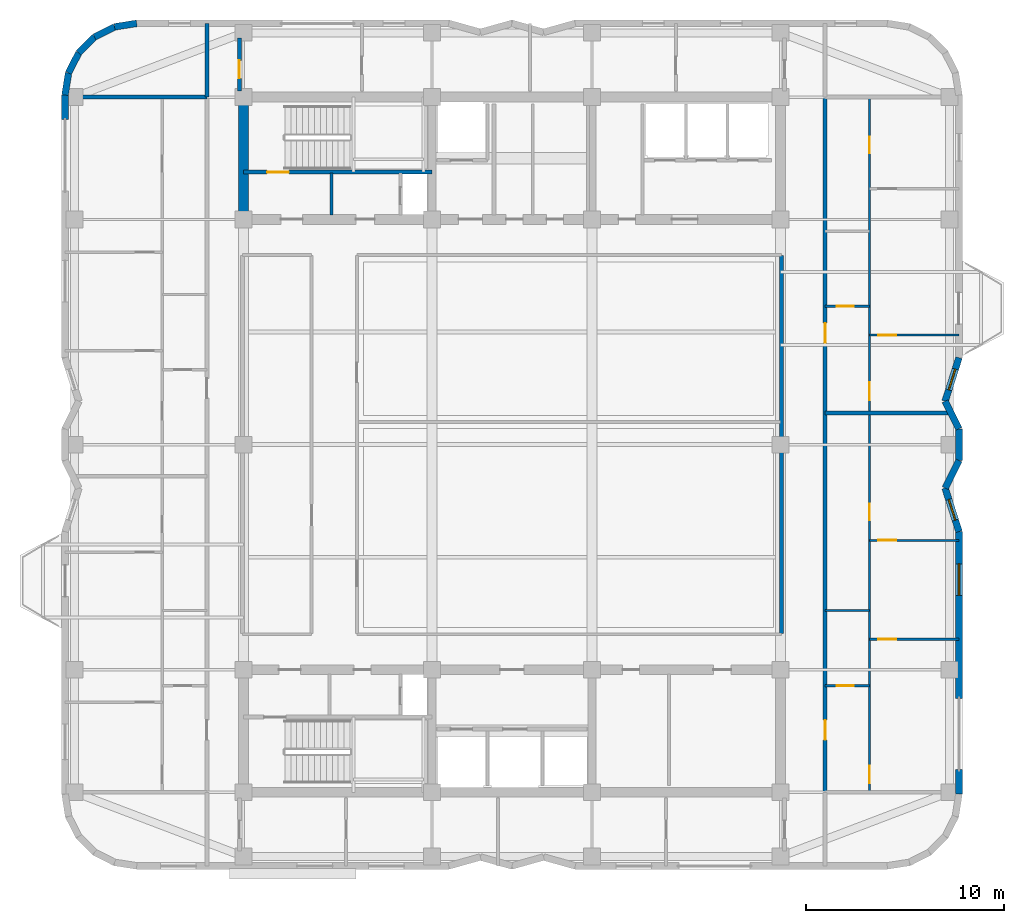
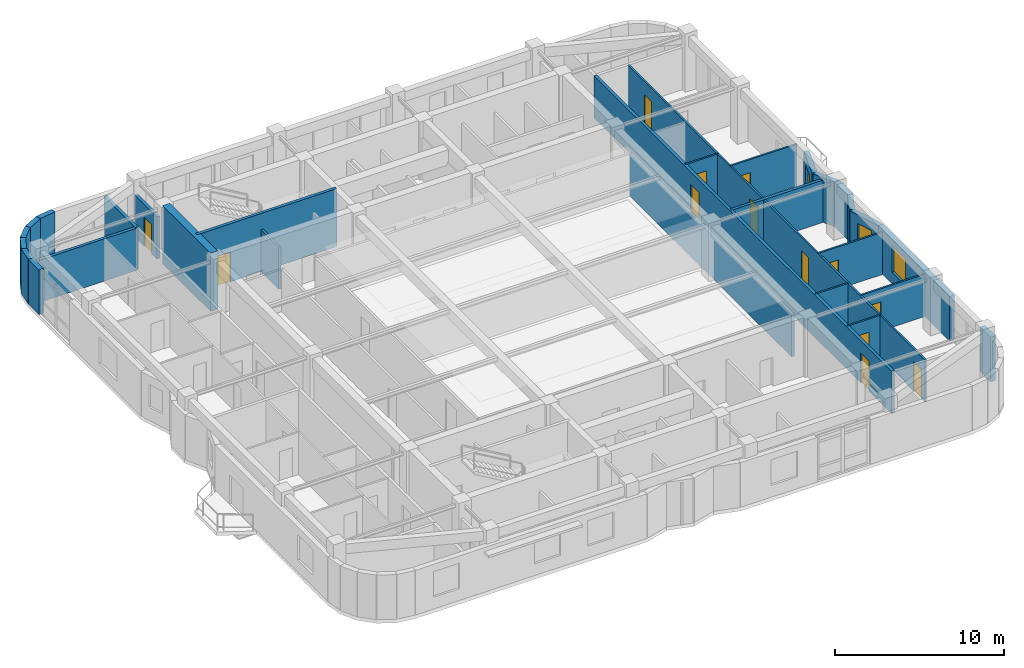
# One storey, part 7 of 11: 30 walls, 13 doors, 3 windows, 16 openings.
"""IFC4 building model written with IfcOpenShell, lengths in metres."""

from ifc_helpers import new_model, si_unit, direction, frame, frame_2d, origin, place, context, subcontext, project, spatial, rectangle, extrude, material, layer, layer_set, type_object, element, fill, save


model = new_model("IFC4")

# Units and contexts
model_context = context("Model", 3, precision=1e-05, world=origin(), true_north=direction((0.0, 1.0)))
body_context = subcontext(model_context, "Body", "Model", "MODEL_VIEW")
ifc_project = project(units=[si_unit("LENGTHUNIT", "METRE"), si_unit("AREAUNIT", "SQUARE_METRE"), si_unit("VOLUMEUNIT", "CUBIC_METRE"), si_unit("PLANEANGLEUNIT", "RADIAN"), si_unit("MASSUNIT", "GRAM", prefix="KILO")], contexts=[model_context])

# Site, building, storey
site_placement = place(None, origin())
site = spatial("IfcSite", under=ifc_project, at=site_placement, CompositionType="ELEMENT")
building_placement = place(site_placement, origin())
building = spatial("IfcBuilding", under=site, at=building_placement, Name="Svetorya Sky Lyceum", CompositionType="ELEMENT")
storey_placement = place(building_placement, frame((0.0, 0.0, 203.10009765625)))
storey = spatial("IfcBuildingStorey", under=building, at=storey_placement, Name="L50", CompositionType="ELEMENT", Elevation=203.10009765625)

# Walls
ifc_material_1 = material(Name="Concrete C50/60", Category="concrete")
ifc_layer_1 = layer(ifc_material_1, 0.5)
ifc_layer_set_1 = layer_set([ifc_layer_1], Name="Concrete C50/60")
wall_type_1 = type_object("IfcWallType", Name="WL-CORE-500", PredefinedType="SHEAR", material=ifc_layer_set_1)
wall_1_placement = place(storey_placement, frame((25.60009765625, 39.85009765625, 0.0), z_axis=(0.0, 0.0, 1.0), x_axis=(0.0, 1.0, 0.0)))
element("IfcWall", 1, at=wall_1_placement, inside=storey, type_object=wall_type_1, Name="L50 NC West Core Shear Wall", PredefinedType="SHEAR", context=body_context, shape_type="SweptSolid", body=[
    extrude(rectangle(XDim=5.699951171875, YDim=0.5, at=frame_2d((2.85009765625, 0.0))), origin(), (0.0, 0.0, 1.0), 4.199951171875),
])
ifc_material_2 = material(Name="Putilovo limestone rainscreen on autoclaved cellular masonry", Category="masonry")
ifc_layer_2 = layer(ifc_material_2, 0.340087890625)
ifc_layer_set_2 = layer_set([ifc_layer_2], Name="Putilovo limestone rainscreen on autoclaved cellular masonry")
wall_type_2 = type_object("IfcWallType", Name="WL-EXT-340", PredefinedType="SOLIDWALL", material=ifc_layer_set_2)
wall_2_placement = place(storey_placement, frame((61.830078125, 10.5, 0.0), z_axis=(0.0, 0.0, 1.0), x_axis=(0.0, 1.0, 0.0)))
element("IfcWall", 2, at=wall_2_placement, inside=storey, type_object=wall_type_2, Name="L50 Limestone Exterior Wall 17A", PredefinedType="SOLIDWALL", context=body_context, shape_type="SweptSolid", body=[
    extrude(rectangle(XDim=1.25, YDim=0.340087890625, at=frame_2d((0.625, 0.0))), origin(), (0.0, 0.0, 1.0), 3.219970703125),
])

# Wall, opening, window
wall_3_placement = place(storey_placement, frame((61.830078125, 15.35009765625, 0.0), z_axis=(0.0, 0.0, 1.0), x_axis=(0.0, 1.0, 0.0)))
wall_3 = element("IfcWall", 3, at=wall_3_placement, inside=storey, type_object=wall_type_2, Name="L50 Limestone Exterior Wall 17B", PredefinedType="SOLIDWALL", context=body_context, shape_type="SweptSolid", body=[
    extrude(rectangle(XDim=8.449951171875, YDim=0.340087890625, at=frame_2d((4.22509765625, 0.0))), origin(), (0.0, 0.0, 1.0), 3.219970703125),
])
opening_1_placement = place(wall_3_placement, frame((5.21240234375, 0.0, 0.85009765625)))
opening_1 = element("IfcOpeningElement", 4, at=opening_1_placement, cuts=wall_3, Name="Opening W-R4", PredefinedType="OPENING", context=body_context, shape_type="SweptSolid", body=[
    extrude(rectangle(XDim=1.60009765625, YDim=1.89990234375, at=frame_2d((0.800048828125, 0.949951171875))), frame((0.0, 0.179931640625, 0.0), z_axis=(0.0, -1.0, 0.0), x_axis=(1.0, 0.0, 0.0)), (0.0, 0.0, 1.0), 0.360107421875),
])
ifc_material_3 = material(Name="Thermally broken aluminium frame with triple low-E glazing", Category="aluminium")
window_type_1 = type_object("IfcWindowType", Name="WN-RES-160", PartitioningType="DOUBLE_PANEL_VERTICAL", PredefinedType="WINDOW", material=ifc_material_3)
window_1_placement = place(opening_1_placement, origin())
window_1 = element("IfcWindow", 5, at=window_1_placement, inside=storey, type_object=window_type_1, Name="L50 Facade Window W-R4.17B.1", OverallHeight=1.89990234375, OverallWidth=1.60009765625, PartitioningType="SINGLE_PANEL", PredefinedType="WINDOW", context=body_context, shape_type="SweptSolid", body=[
    extrude(rectangle(XDim=1.60009765625, YDim=1.89990234375, at=frame_2d((0.800048828125, 0.949951171875))), frame((0.0, 0.030029296875, 0.0), z_axis=(0.0, -1.0, 0.0), x_axis=(1.0, 0.0, 0.0)), (0.0, 0.0, 1.0), 0.06005859375),
])
fill(opening_1, window_1)

wall_4_placement = place(storey_placement, frame((61.830078125, 23.800048828125, 0.0), z_axis=(0.0, 0.0, 1.0), x_axis=(-0.303286588318, 0.95289938889, 0.0)))
wall_4 = element("IfcWall", 6, at=wall_4_placement, inside=storey, type_object=wall_type_2, Name="L50 Limestone Exterior Wall 18M", PredefinedType="SOLIDWALL", context=body_context, shape_type="SweptSolid", body=[
    extrude(rectangle(XDim=2.30859375, YDim=0.340087890625, at=frame_2d((1.154296875, 0.0))), origin(), (0.0, 0.0, 1.0), 3.219970703125),
])
opening_2_placement = place(wall_4_placement, frame((0.604248046875, 0.0, 0.949951171875)))
opening_2 = element("IfcOpeningElement", 7, at=opening_2_placement, cuts=wall_4, Name="Opening W-R3", PredefinedType="OPENING", context=body_context, shape_type="SweptSolid", body=[
    extrude(rectangle(XDim=1.10009765625, YDim=1.64990234375, at=frame_2d((0.550048828125, 0.824951171875))), frame((0.0, 0.179931640625, 0.0), z_axis=(0.0, -1.0, 0.0), x_axis=(1.0, 0.0, 0.0)), (0.0, 0.0, 1.0), 0.360107421875),
])
window_type_2 = type_object("IfcWindowType", Name="WN-RES-110", PartitioningType="SINGLE_PANEL", PredefinedType="WINDOW", material=ifc_material_3)
window_2_placement = place(opening_2_placement, origin())
window_2 = element("IfcWindow", 8, at=window_2_placement, inside=storey, type_object=window_type_2, Name="L50 Facade Window W-R3.18M.1", OverallHeight=1.64990234375, OverallWidth=1.10009765625, PartitioningType="SINGLE_PANEL", PredefinedType="WINDOW", context=body_context, shape_type="SweptSolid", body=[
    extrude(rectangle(XDim=1.10009765625, YDim=1.64990234375, at=frame_2d((0.550048828125, 0.824951171875))), frame((0.0, 0.030029296875, 0.0), z_axis=(0.0, -1.0, 0.0), x_axis=(1.0, 0.0, 0.0)), (0.0, 0.0, 1.0), 0.06005859375),
])
fill(opening_2, window_2)

# Walls
wall_5_placement = place(storey_placement, frame((61.1298828125, 26.0, 0.0), z_axis=(0.0, 0.0, 1.0), x_axis=(0.447338371726, 0.894364792007, 0.0)))
element("IfcWall", 9, at=wall_5_placement, inside=storey, type_object=wall_type_2, Name="L50 Limestone Exterior Wall 19M", PredefinedType="SOLIDWALL", context=body_context, shape_type="SweptSolid", body=[
    extrude(rectangle(XDim=1.565185546875, YDim=0.340087890625, at=frame_2d((0.78271484375, 0.0))), origin(), (0.0, 0.0, 1.0), 3.219970703125),
])
wall_6_placement = place(storey_placement, frame((61.830078125, 27.39990234375, 0.0), z_axis=(0.0, 0.0, 1.0), x_axis=(0.0, 1.0, 0.0)))
element("IfcWall", 10, at=wall_6_placement, inside=storey, type_object=wall_type_2, Name="L50 Limestone Exterior Wall 20M", PredefinedType="SOLIDWALL", context=body_context, shape_type="SweptSolid", body=[
    extrude(rectangle(XDim=1.60009765625, YDim=0.340087890625, at=frame_2d((0.800048828125, 0.0))), origin(), (0.0, 0.0, 1.0), 3.219970703125),
])
wall_7_placement = place(storey_placement, frame((61.830078125, 29.0, 0.0), z_axis=(0.0, 0.0, 1.0), x_axis=(-0.447338371726, 0.894364792007, 0.0)))
element("IfcWall", 11, at=wall_7_placement, inside=storey, type_object=wall_type_2, Name="L50 Limestone Exterior Wall 21M", PredefinedType="SOLIDWALL", context=body_context, shape_type="SweptSolid", body=[
    extrude(rectangle(XDim=1.565185546875, YDim=0.340087890625, at=frame_2d((0.78271484375, 0.0))), origin(), (0.0, 0.0, 1.0), 3.219970703125),
])

# Wall, opening, window
wall_8_placement = place(storey_placement, frame((61.1298828125, 30.39990234375, 0.0), z_axis=(0.0, 0.0, 1.0), x_axis=(0.303256029766, 0.952909114454, 0.0)))
wall_8 = element("IfcWall", 12, at=wall_8_placement, inside=storey, type_object=wall_type_2, Name="L50 Limestone Exterior Wall 22M", PredefinedType="SOLIDWALL", context=body_context, shape_type="SweptSolid", body=[
    extrude(rectangle(XDim=2.308837890625, YDim=0.340087890625, at=frame_2d((1.154296875, 0.0))), origin(), (0.0, 0.0, 1.0), 3.219970703125),
])
opening_3_placement = place(wall_8_placement, frame((0.604248046875, 0.0, 0.949951171875)))
opening_3 = element("IfcOpeningElement", 13, at=opening_3_placement, cuts=wall_8, Name="Opening W-R3", PredefinedType="OPENING", context=body_context, shape_type="SweptSolid", body=[
    extrude(rectangle(XDim=1.10009765625, YDim=1.64990234375, at=frame_2d((0.550048828125, 0.824951171875))), frame((0.0, 0.179931640625, 0.0), z_axis=(0.0, -1.0, 0.0), x_axis=(1.0, 0.0, 0.0)), (0.0, 0.0, 1.0), 0.360107421875),
])
window_3_placement = place(opening_3_placement, origin())
window_3 = element("IfcWindow", 14, at=window_3_placement, inside=storey, type_object=window_type_2, Name="L50 Facade Window W-R3.22M.1", OverallHeight=1.64990234375, OverallWidth=1.10009765625, PartitioningType="SINGLE_PANEL", PredefinedType="WINDOW", context=body_context, shape_type="SweptSolid", body=[
    extrude(rectangle(XDim=1.10009765625, YDim=1.64990234375, at=frame_2d((0.550048828125, 0.824951171875))), frame((0.0, 0.030029296875, 0.0), z_axis=(0.0, -1.0, 0.0), x_axis=(1.0, 0.0, 0.0)), (0.0, 0.0, 1.0), 0.06005859375),
])
fill(opening_3, window_3)

# Walls
wall_9_placement = place(storey_placement, frame((20.199951171875, 49.530029296875, 0.0), z_axis=(0.0, 0.0, 1.0), x_axis=(-0.987675651954, -0.156514556949, 0.0)))
element("IfcWall", 15, at=wall_9_placement, inside=storey, type_object=wall_type_2, Name="L50 Limestone Exterior Wall 35M", PredefinedType="SOLIDWALL", context=body_context, shape_type="SweptSolid", body=[
    extrude(rectangle(XDim=1.135498046875, YDim=0.340087890625, at=frame_2d((0.56787109375, 0.0))), origin(), (0.0, 0.0, 1.0), 3.219970703125),
])
for number, where, z_axis, x_axis, name in (
    (16, (19.078369140625, 49.352294921875, 0.0), (0.0, 0.0, 1.0), (-0.891005044957, -0.453993402883, 0.0), "L50 Limestone Exterior Wall 36M"),
    (17, (18.06640625, 48.836669921875, 0.0), (0.0, 0.0, 1.0), (-0.707214252388, -0.706999293649, 0.0), "L50 Limestone Exterior Wall 37M"),
    (18, (17.26318359375, 48.03369140625, 0.0), (0.0, 0.0, 1.0), (-0.453822724105, -0.891091990249, 0.0), "L50 Limestone Exterior Wall 38M"),
    (19, (16.747802734375, 47.021728515625, 0.0), (0.0, 0.0, 1.0), (-0.156481329164, -0.987680916907, 0.0), "L50 Limestone Exterior Wall 39M"),
):
    element("IfcWall", number, at=place(storey_placement, frame(where, z_axis=z_axis, x_axis=x_axis)), inside=storey, type_object=wall_type_2, Name=name, PredefinedType="SOLIDWALL", context=body_context, shape_type="SweptSolid", body=[
        extrude(rectangle(XDim=1.1357421875, YDim=0.340087890625, at=frame_2d((0.56787109375, 0.0))), origin(), (0.0, 0.0, 1.0), 3.219970703125),
    ])
wall_10_placement = place(storey_placement, frame((16.570068359375, 45.89990234375, 0.0), z_axis=(0.0, 0.0, 1.0), x_axis=(0.0, -1.0, 0.0)))
element("IfcWall", 20, at=wall_10_placement, inside=storey, type_object=wall_type_2, Name="L50 Limestone Exterior Wall 40A", PredefinedType="SOLIDWALL", context=body_context, shape_type="SweptSolid", body=[
    extrude(rectangle(XDim=1.25, YDim=0.340087890625, at=frame_2d((0.625, 0.0))), origin(), (0.0, 0.0, 1.0), 3.219970703125),
])

# Wall, opening, door
ifc_material_4 = material(Name="Twin-stud galvanized framing with double fireboard", Category="gypsum")
ifc_layer_3 = layer(ifc_material_4, 0.1201171875)
ifc_layer_set_3 = layer_set([ifc_layer_3], Name="Twin-stud galvanized framing with double fireboard")
wall_type_3 = type_object("IfcWallType", Name="WL-PART-120", PredefinedType="PARTITIONING", material=ifc_layer_set_3)
wall_11_placement = place(storey_placement, frame((55.050048828125, 16.0, 0.0), z_axis=(0.0, 0.0, 1.0), x_axis=(1.0, 0.0, 0.0)))
wall_11 = element("IfcWall", 21, at=wall_11_placement, inside=storey, type_object=wall_type_3, Name="L50 Interior Partition E1-WH1", PredefinedType="PARTITIONING", context=body_context, shape_type="SweptSolid", body=[
    extrude(rectangle(XDim=2.25, YDim=0.1201171875, at=frame_2d((1.125, 0.0))), origin(), (0.0, 0.0, 1.0), 3.0498046875),
])
opening_4_placement = place(wall_11_placement, frame((0.60009765625, 0.0, 0.0)))
opening_4 = element("IfcOpeningElement", 22, at=opening_4_placement, cuts=wall_11, Name="Opening D-BT1", PredefinedType="OPENING", context=body_context, shape_type="SweptSolid", body=[
    extrude(rectangle(XDim=0.85009765625, YDim=2.10009765625, at=frame_2d((0.425048828125, 1.050048828125))), frame((0.0, 0.070068359375, 0.0), z_axis=(0.0, -1.0, 0.0), x_axis=(1.0, 0.0, 0.0)), (0.0, 0.0, 1.0), 0.14013671875),
])
ifc_material_5 = material(Name="Moisture-resistant laminate bathroom door")
door_type_1 = type_object("IfcDoorType", Name="DR-WET-850", OperationType="SINGLE_SWING_LEFT", PredefinedType="DOOR", material=ifc_material_5)
door_1_placement = place(opening_4_placement, origin())
door_1 = element("IfcDoor", 23, at=door_1_placement, inside=storey, type_object=door_type_1, Name="Apartment E1 Bathroom Door", OperationType="SINGLE_SWING_RIGHT", OverallHeight=2.10009765625, OverallWidth=0.85009765625, PredefinedType="DOOR", context=body_context, shape_type="SweptSolid", body=[
    extrude(rectangle(XDim=0.85009765625, YDim=2.10009765625, at=frame_2d((0.425048828125, 1.050048828125))), frame((0.0, 0.02490234375, 0.0), z_axis=(0.0, -1.0, 0.0), x_axis=(1.0, 0.0, 0.0)), (0.0, 0.0, 1.0), 0.050048828125),
])
fill(opening_4, door_1)

# Wall
wall_12_placement = place(storey_placement, frame((55.050048828125, 19.800048828125, 0.0), z_axis=(0.0, 0.0, 1.0), x_axis=(1.0, 0.0, 0.0)))
element("IfcWall", 24, at=wall_12_placement, inside=storey, type_object=wall_type_3, Name="L50 Interior Partition E1-WH2", PredefinedType="PARTITIONING", context=body_context, shape_type="SweptSolid", body=[
    extrude(rectangle(XDim=2.25, YDim=0.1201171875, at=frame_2d((1.125, 0.0))), origin(), (0.0, 0.0, 1.0), 3.0498046875),
])

# Wall, opening, door
wall_13_placement = place(storey_placement, frame((57.300048828125, 18.35009765625, 0.0), z_axis=(0.0, 0.0, 1.0), x_axis=(1.0, 0.0, 0.0)))
wall_13 = element("IfcWall", 25, at=wall_13_placement, inside=storey, type_object=wall_type_3, Name="L50 Interior Partition E1-WL1", PredefinedType="PARTITIONING", context=body_context, shape_type="SweptSolid", body=[
    extrude(rectangle(XDim=4.530029296875, YDim=0.1201171875, at=frame_2d((2.26513671875, 0.0))), origin(), (0.0, 0.0, 1.0), 3.0498046875),
])
opening_5_placement = place(wall_13_placement, frame((0.449951171875, 0.0, 0.0)))
opening_5 = element("IfcOpeningElement", 26, at=opening_5_placement, cuts=wall_13, Name="Opening D-RM1", PredefinedType="OPENING", context=body_context, shape_type="SweptSolid", body=[
    extrude(rectangle(XDim=0.89990234375, YDim=2.10009765625, at=frame_2d((0.449951171875, 1.050048828125))), frame((0.0, 0.070068359375, 0.0), z_axis=(0.0, -1.0, 0.0), x_axis=(1.0, 0.0, 0.0)), (0.0, 0.0, 1.0), 0.14013671875),
])
ifc_material_6 = material(Name="Lacquered birch veneer internal door")
door_type_2 = type_object("IfcDoorType", Name="DR-INT-900", OperationType="SINGLE_SWING_LEFT", PredefinedType="DOOR", material=ifc_material_6)
door_2_placement = place(opening_5_placement, origin())
door_2 = element("IfcDoor", 27, at=door_2_placement, inside=storey, type_object=door_type_2, Name="Apartment E1 Master Bedroom Door", OperationType="SINGLE_SWING_RIGHT", OverallHeight=2.10009765625, OverallWidth=0.89990234375, PredefinedType="DOOR", context=body_context, shape_type="SweptSolid", body=[
    extrude(rectangle(XDim=0.89990234375, YDim=2.10009765625, at=frame_2d((0.449951171875, 1.050048828125))), frame((0.0, 0.02490234375, 0.0), z_axis=(0.0, -1.0, 0.0), x_axis=(1.0, 0.0, 0.0)), (0.0, 0.0, 1.0), 0.050048828125),
])
fill(opening_5, door_2)

wall_14_placement = place(storey_placement, frame((57.300048828125, 23.35009765625, 0.0), z_axis=(0.0, 0.0, 1.0), x_axis=(1.0, 0.0, 0.0)))
wall_14 = element("IfcWall", 28, at=wall_14_placement, inside=storey, type_object=wall_type_3, Name="L50 Interior Partition E1-WL2", PredefinedType="PARTITIONING", context=body_context, shape_type="SweptSolid", body=[
    extrude(rectangle(XDim=4.530029296875, YDim=0.1201171875, at=frame_2d((2.26513671875, 0.0))), origin(), (0.0, 0.0, 1.0), 3.0498046875),
])
opening_6_placement = place(wall_14_placement, frame((0.449951171875, 0.0, 0.0)))
opening_6 = element("IfcOpeningElement", 29, at=opening_6_placement, cuts=wall_14, Name="Opening D-RM1", PredefinedType="OPENING", context=body_context, shape_type="SweptSolid", body=[
    extrude(rectangle(XDim=0.89990234375, YDim=2.10009765625, at=frame_2d((0.449951171875, 1.050048828125))), frame((0.0, 0.070068359375, 0.0), z_axis=(0.0, -1.0, 0.0), x_axis=(1.0, 0.0, 0.0)), (0.0, 0.0, 1.0), 0.14013671875),
])
door_3_placement = place(opening_6_placement, origin())
door_3 = element("IfcDoor", 30, at=door_3_placement, inside=storey, type_object=door_type_2, Name="Apartment E1 Bedroom 2 Door", OperationType="SINGLE_SWING_LEFT", OverallHeight=2.10009765625, OverallWidth=0.89990234375, PredefinedType="DOOR", context=body_context, shape_type="SweptSolid", body=[
    extrude(rectangle(XDim=0.89990234375, YDim=2.10009765625, at=frame_2d((0.449951171875, 1.050048828125))), frame((0.0, 0.02490234375, 0.0), z_axis=(0.0, -1.0, 0.0), x_axis=(1.0, 0.0, 0.0)), (0.0, 0.0, 1.0), 0.050048828125),
])
fill(opening_6, door_3)

# Wall, openings, doors
wall_15_placement = place(storey_placement, frame((57.300048828125, 10.639892578125, 0.0), z_axis=(0.0, 0.0, 1.0), x_axis=(0.0, 1.0, 0.0)))
wall_15 = element("IfcWall", 31, at=wall_15_placement, inside=storey, type_object=wall_type_3, Name="L50 Interior Partition E1-WV", PredefinedType="PARTITIONING", context=body_context, shape_type="SweptSolid", body=[
    extrude(rectangle(XDim=19.1201171875, YDim=0.1201171875, at=frame_2d((9.56005859375, 0.0))), origin(), (0.0, 0.0, 1.0), 3.0498046875),
])
opening_7_placement = place(wall_15_placement, frame((0.409912109375, 0.0, 0.0)))
opening_7 = element("IfcOpeningElement", 32, at=opening_7_placement, cuts=wall_15, Name="Opening D-RM1", PredefinedType="OPENING", context=body_context, shape_type="SweptSolid", body=[
    extrude(rectangle(XDim=0.89990234375, YDim=2.10009765625, at=frame_2d((0.449951171875, 1.050048828125))), frame((0.0, 0.070068359375, 0.0), z_axis=(0.0, -1.0, 0.0), x_axis=(1.0, 0.0, 0.0)), (0.0, 0.0, 1.0), 0.14013671875),
])
opening_8_placement = place(wall_15_placement, frame((13.735107421875, 0.0, 0.0)))
opening_8 = element("IfcOpeningElement", 33, at=opening_8_placement, cuts=wall_15, Name="Opening D-BT2", PredefinedType="OPENING", context=body_context, shape_type="SweptSolid", body=[
    extrude(rectangle(XDim=0.820068359375, YDim=2.080078125, at=frame_2d((0.41015625, 1.0400390625))), frame((0.0, 0.070068359375, 0.0), z_axis=(0.0, -1.0, 0.0), x_axis=(1.0, 0.0, 0.0)), (0.0, 0.0, 1.0), 0.14013671875),
])
door_4_placement = place(opening_7_placement, origin())
door_4 = element("IfcDoor", 34, at=door_4_placement, inside=storey, type_object=door_type_2, Name="Apartment E1 Living Door", OperationType="SINGLE_SWING_LEFT", OverallHeight=2.10009765625, OverallWidth=0.89990234375, PredefinedType="DOOR", context=body_context, shape_type="SweptSolid", body=[
    extrude(rectangle(XDim=0.89990234375, YDim=2.10009765625, at=frame_2d((0.449951171875, 1.050048828125))), frame((0.0, 0.02490234375, 0.0), z_axis=(0.0, -1.0, 0.0), x_axis=(1.0, 0.0, 0.0)), (0.0, 0.0, 1.0), 0.050048828125),
])
fill(opening_7, door_4)
ifc_material_7 = material(Name="Compact moisture-resistant laminate closet door")
door_type_3 = type_object("IfcDoorType", Name="DR-WET-820", OperationType="SINGLE_SWING_LEFT", PredefinedType="DOOR", material=ifc_material_7)
door_5_placement = place(opening_8_placement, origin())
door_5 = element("IfcDoor", 35, at=door_5_placement, inside=storey, type_object=door_type_3, Name="Apartment E1 Study Door", OperationType="SINGLE_SWING_RIGHT", OverallHeight=2.080078125, OverallWidth=0.820068359375, PredefinedType="DOOR", context=body_context, shape_type="SweptSolid", body=[
    extrude(rectangle(XDim=0.820068359375, YDim=2.080078125, at=frame_2d((0.41015625, 1.0400390625))), frame((0.0, 0.02490234375, 0.0), z_axis=(0.0, -1.0, 0.0), x_axis=(1.0, 0.0, 0.0)), (0.0, 0.0, 1.0), 0.050048828125),
])
fill(opening_8, door_5)

# Wall, opening, door
wall_16_placement = place(storey_placement, frame((55.050048828125, 35.199951171875, 0.0), z_axis=(0.0, 0.0, 1.0), x_axis=(1.0, 0.0, 0.0)))
wall_16 = element("IfcWall", 36, at=wall_16_placement, inside=storey, type_object=wall_type_3, Name="L50 Interior Partition E2-WH1", PredefinedType="PARTITIONING", context=body_context, shape_type="SweptSolid", body=[
    extrude(rectangle(XDim=2.25, YDim=0.1201171875, at=frame_2d((1.125, 0.0))), origin(), (0.0, 0.0, 1.0), 3.0498046875),
])
opening_9_placement = place(wall_16_placement, frame((0.60009765625, 0.0, 0.0)))
opening_9 = element("IfcOpeningElement", 37, at=opening_9_placement, cuts=wall_16, Name="Opening D-BT1", PredefinedType="OPENING", context=body_context, shape_type="SweptSolid", body=[
    extrude(rectangle(XDim=0.85009765625, YDim=2.10009765625, at=frame_2d((0.425048828125, 1.050048828125))), frame((0.0, 0.070068359375, 0.0), z_axis=(0.0, -1.0, 0.0), x_axis=(1.0, 0.0, 0.0)), (0.0, 0.0, 1.0), 0.14013671875),
])
door_6_placement = place(opening_9_placement, origin())
door_6 = element("IfcDoor", 38, at=door_6_placement, inside=storey, type_object=door_type_1, Name="Apartment E2 Bathroom Door", OperationType="SINGLE_SWING_LEFT", OverallHeight=2.10009765625, OverallWidth=0.85009765625, PredefinedType="DOOR", context=body_context, shape_type="SweptSolid", body=[
    extrude(rectangle(XDim=0.85009765625, YDim=2.10009765625, at=frame_2d((0.425048828125, 1.050048828125))), frame((0.0, 0.02490234375, 0.0), z_axis=(0.0, -1.0, 0.0), x_axis=(1.0, 0.0, 0.0)), (0.0, 0.0, 1.0), 0.050048828125),
])
fill(opening_9, door_6)

wall_17_placement = place(storey_placement, frame((57.300048828125, 33.75, 0.0), z_axis=(0.0, 0.0, 1.0), x_axis=(1.0, 0.0, 0.0)))
wall_17 = element("IfcWall", 39, at=wall_17_placement, inside=storey, type_object=wall_type_3, Name="L50 Interior Partition E2-WL1", PredefinedType="PARTITIONING", context=body_context, shape_type="SweptSolid", body=[
    extrude(rectangle(XDim=4.530029296875, YDim=0.1201171875, at=frame_2d((2.26513671875, 0.0))), origin(), (0.0, 0.0, 1.0), 3.0498046875),
])
opening_10_placement = place(wall_17_placement, frame((0.449951171875, 0.0, 0.0)))
opening_10 = element("IfcOpeningElement", 40, at=opening_10_placement, cuts=wall_17, Name="Opening D-RM1", PredefinedType="OPENING", context=body_context, shape_type="SweptSolid", body=[
    extrude(rectangle(XDim=0.89990234375, YDim=2.10009765625, at=frame_2d((0.449951171875, 1.050048828125))), frame((0.0, 0.070068359375, 0.0), z_axis=(0.0, -1.0, 0.0), x_axis=(1.0, 0.0, 0.0)), (0.0, 0.0, 1.0), 0.14013671875),
])
door_7_placement = place(opening_10_placement, origin())
door_7 = element("IfcDoor", 41, at=door_7_placement, inside=storey, type_object=door_type_2, Name="Apartment E2 Master Bedroom Door", OperationType="SINGLE_SWING_LEFT", OverallHeight=2.10009765625, OverallWidth=0.89990234375, PredefinedType="DOOR", context=body_context, shape_type="SweptSolid", body=[
    extrude(rectangle(XDim=0.89990234375, YDim=2.10009765625, at=frame_2d((0.449951171875, 1.050048828125))), frame((0.0, 0.02490234375, 0.0), z_axis=(0.0, -1.0, 0.0), x_axis=(1.0, 0.0, 0.0)), (0.0, 0.0, 1.0), 0.050048828125),
])
fill(opening_10, door_7)

# Wall, openings, doors
wall_18_placement = place(storey_placement, frame((57.300048828125, 29.840087890625, 0.0), z_axis=(0.0, 0.0, 1.0), x_axis=(0.0, 1.0, 0.0)))
wall_18 = element("IfcWall", 42, at=wall_18_placement, inside=storey, type_object=wall_type_3, Name="L50 Interior Partition E2-WV", PredefinedType="PARTITIONING", context=body_context, shape_type="SweptSolid", body=[
    extrude(rectangle(XDim=15.919921875, YDim=0.1201171875, at=frame_2d((7.9599609375, 0.0))), origin(), (0.0, 0.0, 1.0), 3.0498046875),
])
opening_11_placement = place(wall_18_placement, frame((0.610107421875, 0.0, 0.0)))
opening_11 = element("IfcOpeningElement", 43, at=opening_11_placement, cuts=wall_18, Name="Opening D-RM1", PredefinedType="OPENING", context=body_context, shape_type="SweptSolid", body=[
    extrude(rectangle(XDim=0.89990234375, YDim=2.10009765625, at=frame_2d((0.449951171875, 1.050048828125))), frame((0.0, 0.070068359375, 0.0), z_axis=(0.0, -1.0, 0.0), x_axis=(1.0, 0.0, 0.0)), (0.0, 0.0, 1.0), 0.14013671875),
])
opening_12_placement = place(wall_18_placement, frame((13.125, 0.0, 0.0)))
opening_12 = element("IfcOpeningElement", 44, at=opening_12_placement, cuts=wall_18, Name="Opening D-BT2", PredefinedType="OPENING", context=body_context, shape_type="SweptSolid", body=[
    extrude(rectangle(XDim=0.820068359375, YDim=2.080078125, at=frame_2d((0.41015625, 1.0400390625))), frame((0.0, 0.070068359375, 0.0), z_axis=(0.0, -1.0, 0.0), x_axis=(1.0, 0.0, 0.0)), (0.0, 0.0, 1.0), 0.14013671875),
])
door_8_placement = place(opening_11_placement, origin())
door_8 = element("IfcDoor", 45, at=door_8_placement, inside=storey, type_object=door_type_2, Name="Apartment E2 Living Door", OperationType="SINGLE_SWING_RIGHT", OverallHeight=2.10009765625, OverallWidth=0.89990234375, PredefinedType="DOOR", context=body_context, shape_type="SweptSolid", body=[
    extrude(rectangle(XDim=0.89990234375, YDim=2.10009765625, at=frame_2d((0.449951171875, 1.050048828125))), frame((0.0, 0.02490234375, 0.0), z_axis=(0.0, -1.0, 0.0), x_axis=(1.0, 0.0, 0.0)), (0.0, 0.0, 1.0), 0.050048828125),
])
fill(opening_11, door_8)
door_9_placement = place(opening_12_placement, origin())
door_9 = element("IfcDoor", 46, at=door_9_placement, inside=storey, type_object=door_type_3, Name="Apartment E2 Study Door", OperationType="SINGLE_SWING_LEFT", OverallHeight=2.080078125, OverallWidth=0.820068359375, PredefinedType="DOOR", context=body_context, shape_type="SweptSolid", body=[
    extrude(rectangle(XDim=0.820068359375, YDim=2.080078125, at=frame_2d((0.41015625, 1.0400390625))), frame((0.0, 0.02490234375, 0.0), z_axis=(0.0, -1.0, 0.0), x_axis=(1.0, 0.0, 0.0)), (0.0, 0.0, 1.0), 0.050048828125),
])
fill(opening_12, door_9)

# Walls
ifc_material_8 = material(Name="Autoclaved cellular masonry blockwork with acoustic render", Category="masonry")
ifc_layer_4 = layer(ifc_material_8, 0.14990234375)
ifc_layer_set_4 = layer_set([ifc_layer_4], Name="Autoclaved cellular masonry blockwork with acoustic render")
wall_type_4 = type_object("IfcWallType", Name="WL-PART-150", PredefinedType="PARTITIONING", material=ifc_layer_set_4)
wall_19_placement = place(storey_placement, frame((30.050048828125, 39.820068359375, 0.0), z_axis=(0.0, 0.0, 1.0), x_axis=(0.0, 1.0, 0.0)))
element("IfcWall", 47, at=wall_19_placement, inside=storey, type_object=wall_type_4, Name="L50 Interior Partition NC-NWD1", PredefinedType="PARTITIONING", context=body_context, shape_type="SweptSolid", body=[
    extrude(rectangle(XDim=2.1298828125, YDim=0.14990234375, at=frame_2d((1.06494140625, 0.0))), origin(), (0.0, 0.0, 1.0), 3.0498046875),
])
ifc_material_9 = material(Name="Autoclaved cellular masonry blockwork with gypsum plaster", Category="masonry")
ifc_layer_5 = layer(ifc_material_9, 0.199951171875)
ifc_layer_set_5 = layer_set([ifc_layer_5], Name="Autoclaved cellular masonry blockwork with gypsum plaster")
wall_type_5 = type_object("IfcWallType", Name="WL-PART-200", PredefinedType="PARTITIONING", material=ifc_layer_set_5)
wall_20_placement = place(storey_placement, frame((52.85009765625, 18.6298828125, 0.0), z_axis=(0.0, 0.0, 1.0), x_axis=(0.0, 1.0, 0.0)))
element("IfcWall", 48, at=wall_20_placement, inside=storey, type_object=wall_type_5, Name="L50 Interior Partition E-CEN-SEP", PredefinedType="PARTITIONING", context=body_context, shape_type="SweptSolid", body=[
    extrude(rectangle(XDim=19.14013671875, YDim=0.199951171875, at=frame_2d((9.570068359375, 0.0))), origin(), (0.0, 0.0, 1.0), 3.0498046875),
])
wall_21_placement = place(storey_placement, frame((16.989990234375, 45.800048828125, 0.0), z_axis=(0.0, 0.0, 1.0), x_axis=(1.0, 0.0, 0.0)))
element("IfcWall", 49, at=wall_21_placement, inside=storey, type_object=wall_type_5, Name="L50 Interior Partition W-CAP-N", PredefinedType="PARTITIONING", context=body_context, shape_type="SweptSolid", body=[
    extrude(rectangle(XDim=6.760009765625, YDim=0.199951171875, at=frame_2d((3.3798828125, 0.0))), origin(), (0.0, 0.0, 1.0), 3.0498046875),
])
wall_22_placement = place(storey_placement, frame((55.050048828125, 29.800048828125, 0.0), z_axis=(0.0, 0.0, 1.0), x_axis=(1.0, 0.0, 0.0)))
element("IfcWall", 50, at=wall_22_placement, inside=storey, type_object=wall_type_5, Name="L50 Interior Partition E-PARTY-1", PredefinedType="PARTITIONING", context=body_context, shape_type="SweptSolid", body=[
    extrude(rectangle(XDim=6.3798828125, YDim=0.199951171875, at=frame_2d((3.18994140625, 0.0))), origin(), (0.0, 0.0, 1.0), 3.0498046875),
])

# Wall, openings, doors
wall_23_placement = place(storey_placement, frame((55.050048828125, 10.60009765625, 0.0), z_axis=(0.0, 0.0, 1.0), x_axis=(0.0, 1.0, 0.0)))
wall_23 = element("IfcWall", 51, at=wall_23_placement, inside=storey, type_object=wall_type_5, Name="L50 Interior Partition E-CORRW", PredefinedType="PARTITIONING", context=body_context, shape_type="SweptSolid", body=[
    extrude(rectangle(XDim=35.199951171875, YDim=0.199951171875, at=frame_2d((17.60009765625, 0.0))), origin(), (0.0, 0.0, 1.0), 3.0498046875),
])
opening_13_placement = place(wall_23_placement, frame((2.64990234375, 0.0, 0.0)))
opening_13 = element("IfcOpeningElement", 52, at=opening_13_placement, cuts=wall_23, Name="Opening D-APT1", PredefinedType="OPENING", context=body_context, shape_type="SweptSolid", body=[
    extrude(rectangle(XDim=1.0, YDim=2.14990234375, at=frame_2d((0.5, 1.074951171875))), frame((0.0, 0.10986328125, 0.0), z_axis=(0.0, -1.0, 0.0), x_axis=(1.0, 0.0, 0.0)), (0.0, 0.0, 1.0), 0.219970703125),
])
opening_14_placement = place(wall_23_placement, frame((22.75, 0.0, 0.0)))
opening_14 = element("IfcOpeningElement", 53, at=opening_14_placement, cuts=wall_23, Name="Opening D-APT1", PredefinedType="OPENING", context=body_context, shape_type="SweptSolid", body=[
    extrude(rectangle(XDim=1.0, YDim=2.14990234375, at=frame_2d((0.5, 1.074951171875))), frame((0.0, 0.10986328125, 0.0), z_axis=(0.0, -1.0, 0.0), x_axis=(1.0, 0.0, 0.0)), (0.0, 0.0, 1.0), 0.219970703125),
])
ifc_material_10 = material(Name="Insulated oak-veneered apartment entrance door")
door_type_4 = type_object("IfcDoorType", Name="DR-APT-1000", OperationType="SINGLE_SWING_LEFT", PredefinedType="DOOR", material=ifc_material_10)
door_10_placement = place(opening_13_placement, origin())
door_10 = element("IfcDoor", 54, at=door_10_placement, inside=storey, type_object=door_type_4, Name="L50 Apartment E1 Entrance Door", OperationType="SINGLE_SWING_RIGHT", OverallHeight=2.14990234375, OverallWidth=1.0, PredefinedType="DOOR", context=body_context, shape_type="SweptSolid", body=[
    extrude(rectangle(XDim=1.0, YDim=2.14990234375, at=frame_2d((0.5, 1.074951171875))), frame((0.0, 0.02490234375, 0.0), z_axis=(0.0, -1.0, 0.0), x_axis=(1.0, 0.0, 0.0)), (0.0, 0.0, 1.0), 0.050048828125),
])
fill(opening_13, door_10)
door_11_placement = place(opening_14_placement, origin())
door_11 = element("IfcDoor", 55, at=door_11_placement, inside=storey, type_object=door_type_4, Name="L50 Apartment E2 Entrance Door", OperationType="SINGLE_SWING_LEFT", OverallHeight=2.14990234375, OverallWidth=1.0, PredefinedType="DOOR", context=body_context, shape_type="SweptSolid", body=[
    extrude(rectangle(XDim=1.0, YDim=2.14990234375, at=frame_2d((0.5, 1.074951171875))), frame((0.0, 0.02490234375, 0.0), z_axis=(0.0, -1.0, 0.0), x_axis=(1.0, 0.0, 0.0)), (0.0, 0.0, 1.0), 0.050048828125),
])
fill(opening_14, door_11)

# Wall
wall_24_placement = place(storey_placement, frame((23.75, 45.800048828125, 0.0), z_axis=(0.0, 0.0, 1.0), x_axis=(0.0, 1.0, 0.0)))
element("IfcWall", 56, at=wall_24_placement, inside=storey, type_object=wall_type_5, Name="L50 Interior Partition WC-NW-END", PredefinedType="PARTITIONING", context=body_context, shape_type="SweptSolid", body=[
    extrude(rectangle(XDim=3.72998046875, YDim=0.199951171875, at=frame_2d((1.864990234375, 0.0))), origin(), (0.0, 0.0, 1.0), 3.0498046875),
])

# Wall, opening, door
wall_25_placement = place(storey_placement, frame((25.39990234375, 46.10009765625, 0.0), z_axis=(0.0, 0.0, 1.0), x_axis=(0.0, 1.0, 0.0)))
wall_25 = element("IfcWall", 57, at=wall_25_placement, inside=storey, type_object=wall_type_5, Name="L50 Interior Partition N4-EW", PredefinedType="PARTITIONING", context=body_context, shape_type="SweptSolid", body=[
    extrude(rectangle(XDim=2.679931640625, YDim=0.199951171875, at=frame_2d((1.33984375, 0.0))), origin(), (0.0, 0.0, 1.0), 3.0498046875),
])
opening_15_placement = place(wall_25_placement, frame((0.64990234375, 0.0, 0.0)))
opening_15 = element("IfcOpeningElement", 58, at=opening_15_placement, cuts=wall_25, Name="Opening D-RM1", PredefinedType="OPENING", context=body_context, shape_type="SweptSolid", body=[
    extrude(rectangle(XDim=0.89990234375, YDim=2.10009765625, at=frame_2d((0.449951171875, 1.050048828125))), frame((0.0, 0.10986328125, 0.0), z_axis=(0.0, -1.0, 0.0), x_axis=(1.0, 0.0, 0.0)), (0.0, 0.0, 1.0), 0.219970703125),
])
door_12_placement = place(opening_15_placement, origin())
door_12 = element("IfcDoor", 59, at=door_12_placement, inside=storey, type_object=door_type_2, Name="L50 NW Study Door", OperationType="SINGLE_SWING_RIGHT", OverallHeight=2.10009765625, OverallWidth=0.89990234375, PredefinedType="DOOR", context=body_context, shape_type="SweptSolid", body=[
    extrude(rectangle(XDim=0.89990234375, YDim=2.10009765625, at=frame_2d((0.449951171875, 1.050048828125))), frame((0.0, 0.02490234375, 0.0), z_axis=(0.0, -1.0, 0.0), x_axis=(1.0, 0.0, 0.0)), (0.0, 0.0, 1.0), 0.050048828125),
])
fill(opening_15, door_12)

ifc_layer_6 = layer(ifc_material_1, 0.199951171875)
ifc_layer_set_6 = layer_set([ifc_layer_6], Name="Concrete C50/60")
wall_type_6 = type_object("IfcWallType", Name="WL-SHW-200", PredefinedType="SHEAR", material=ifc_layer_set_6)
wall_26_placement = place(storey_placement, frame((35.14990234375, 42.0, 0.0), z_axis=(0.0, 0.0, 1.0), x_axis=(-1.0, 0.0, 0.0)))
wall_26 = element("IfcWall", 60, at=wall_26_placement, inside=storey, type_object=wall_type_6, Name="L50 Structural Stair Shaft Wall NC-STW", PredefinedType="SHEAR", context=body_context, shape_type="SweptSolid", body=[
    extrude(rectangle(XDim=9.5498046875, YDim=0.199951171875, at=frame_2d((4.77490234375, 0.0))), origin(), (0.0, 0.0, 1.0), 4.199951171875),
])
opening_16_placement = place(wall_26_placement, frame((7.25, 0.0, 0.0)))
opening_16 = element("IfcOpeningElement", 61, at=opening_16_placement, cuts=wall_26, Name="Opening D-ST1", PredefinedType="OPENING", context=body_context, shape_type="SweptSolid", body=[
    extrude(rectangle(XDim=1.10009765625, YDim=2.14990234375, at=frame_2d((0.550048828125, 1.074951171875))), frame((0.0, 0.10986328125, 0.0), z_axis=(0.0, -1.0, 0.0), x_axis=(1.0, 0.0, 0.0)), (0.0, 0.0, 1.0), 0.219970703125),
])
ifc_material_11 = material(Name="Powder-coated insulated galvanized stair fire door")
door_type_5 = type_object("IfcDoorType", Name="DR-FIRE-1100", OperationType="SINGLE_SWING_LEFT", PredefinedType="DOOR", material=ifc_material_11)
door_13_placement = place(opening_16_placement, origin())
door_13 = element("IfcDoor", 62, at=door_13_placement, inside=storey, type_object=door_type_5, Name="L50 Stair ST-N Vestibule Fire Door", OperationType="SINGLE_SWING_RIGHT", OverallHeight=2.14990234375, OverallWidth=1.10009765625, PredefinedType="DOOR", context=body_context, shape_type="SweptSolid", body=[
    extrude(rectangle(XDim=1.10009765625, YDim=2.14990234375, at=frame_2d((0.550048828125, 1.074951171875))), frame((0.0, 0.02490234375, 0.0), z_axis=(0.0, -1.0, 0.0), x_axis=(1.0, 0.0, 0.0)), (0.0, 0.0, 1.0), 0.050048828125),
])
fill(opening_16, door_13)

save(model, "model.ifc")
